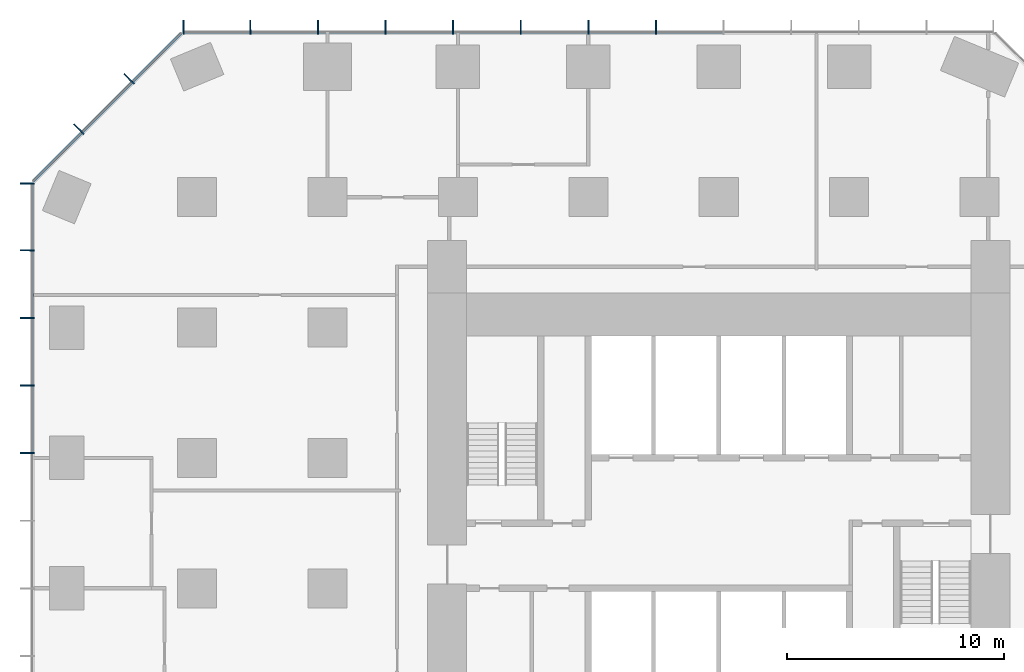
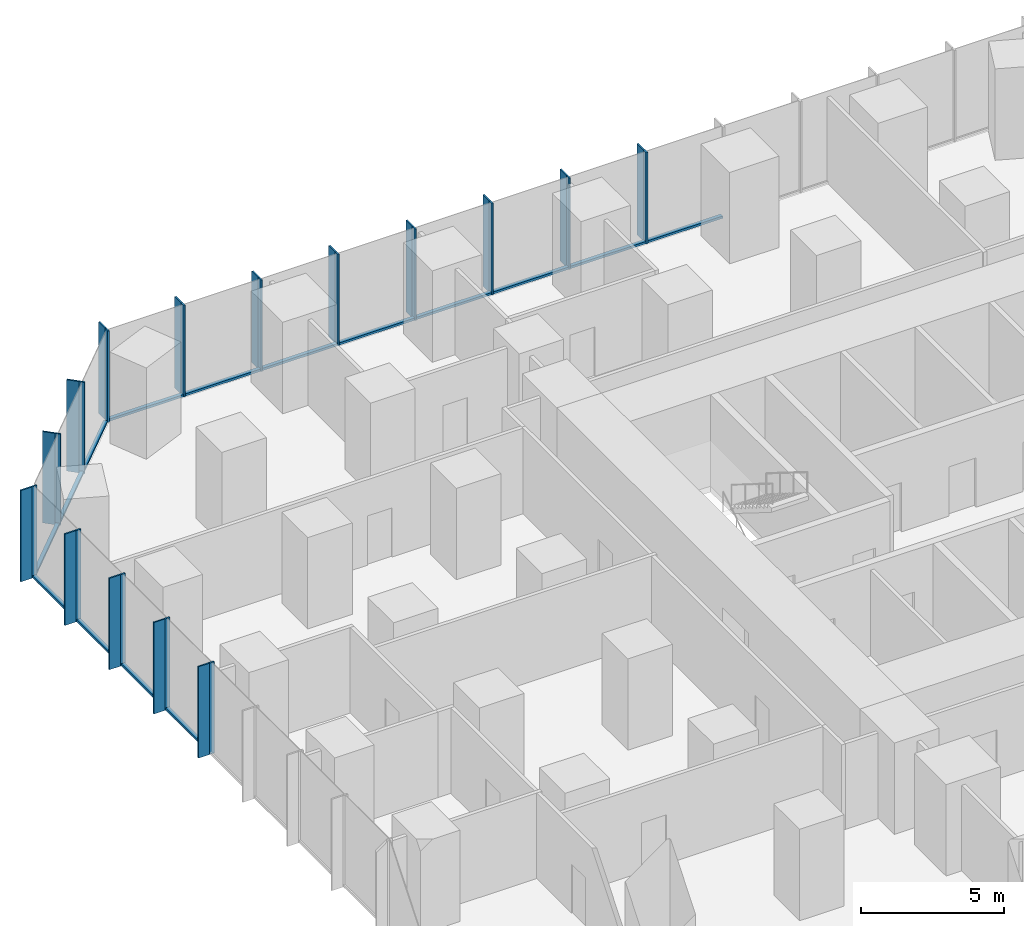
# One storey, part 5 of 12: 45 members, 3 elements without a shape of their own.
"""IFC4 building model written with IfcOpenShell, lengths in metres."""

from ifc_helpers import new_model, si_unit, direction, frame, origin, origin_2d, place, context, subcontext, project, spatial, rectangle, extrude, material, layer, layer_set, material_profile, profile_set, type_object, element, aggregate, save


model = new_model("IFC4")

# Units and contexts
model_context = context("Model", 3, precision=1e-05, world=origin(), true_north=direction((0.0, 1.0)))
body_context = subcontext(model_context, "Body", "Model", "MODEL_VIEW")
ifc_project = project(units=[si_unit("LENGTHUNIT", "METRE"), si_unit("AREAUNIT", "SQUARE_METRE"), si_unit("VOLUMEUNIT", "CUBIC_METRE"), si_unit("PLANEANGLEUNIT", "RADIAN"), si_unit("MASSUNIT", "GRAM", prefix="KILO")], contexts=[model_context])

# Site, building, storey
site_placement = place(None, origin())
site = spatial("IfcSite", under=ifc_project, at=site_placement, CompositionType="ELEMENT")
building_placement = place(site_placement, origin())
building = spatial("IfcBuilding", under=site, at=building_placement, Name="Highveld Stack Headquarters", CompositionType="ELEMENT")
storey_placement = place(building_placement, frame((0.0, 0.0, 22.10009765625)))
storey = spatial("IfcBuildingStorey", under=building, at=storey_placement, Name="L04", CompositionType="ELEMENT", Elevation=22.10009765625)

# Curtain wall, members
ifc_material_1 = material(Name="Aluminium bronze anodised", Category="aluminium")
ifc_layer_1 = layer(ifc_material_1, 0.199951171875)
ifc_layer_set_1 = layer_set([ifc_layer_1], Name="Aluminium bronze anodised")
curtain_wall_type_1 = type_object("IfcCurtainWallType", Name="CW1 TOWER UNITISED CURTAIN WALL", PredefinedType="NOTDEFINED", material=ifc_layer_set_1)
curtain_wall_1_placement = place(storey_placement, origin())
curtain_wall_1 = element("IfcCurtainWall", 1, at=curtain_wall_1_placement, inside=storey, type_object=curtain_wall_type_1, Name="Curtain wall CW1 L04 N", PredefinedType="NOTDEFINED")
ifc_material_2 = material(Name="Aluminium bronze anodised", Category="aluminium")
ifc_material_profile_1 = material_profile(ifc_material_2, rectangle(XDim=0.449951171875, YDim=0.06005859375, at=origin_2d()), Name="FIN 450x60")
ifc_profile_set_1 = profile_set([ifc_material_profile_1], Name="Aluminium bronze anodised")
member_type_1 = type_object("IfcMemberType", Name="CW1 BRONZE FIN 450x60", PredefinedType="USERDEFINED", material=ifc_profile_set_1)
member_1_placement = place(storey_placement, frame((3.110595703125, 25.925048828125, 0.0), z_axis=(0.0, 0.0, 1.0), x_axis=(0.0, -1.0, 0.0)))
member_1 = element("IfcMember", 2, at=member_1_placement, type_object=member_type_1, Name="CW1 fin L04 6", ObjectType="FIN", PredefinedType="USERDEFINED", context=body_context, shape_type="SweptSolid", body=[
    extrude(rectangle(XDim=0.449951171875, YDim=0.06005859375, at=origin_2d()), origin(), (0.0, 0.0, 1.0), 3.89990234375),
])
member_2_placement = place(storey_placement, frame((0.0, 25.925048828125, 0.0), z_axis=(0.0, 0.0, 1.0), x_axis=(0.0, -1.0, 0.0)))
member_2 = element("IfcMember", 3, at=member_2_placement, type_object=member_type_1, Name="CW1 fin L04 7", ObjectType="FIN", PredefinedType="USERDEFINED", context=body_context, shape_type="SweptSolid", body=[
    extrude(rectangle(XDim=0.449951171875, YDim=0.06005859375, at=origin_2d()), origin(), (0.0, 0.0, 1.0), 3.89990234375),
])
member_3_placement = place(storey_placement, frame((-3.110595703125, 25.925048828125, 0.0), z_axis=(0.0, 0.0, 1.0), x_axis=(0.0, -1.0, 0.0)))
member_3 = element("IfcMember", 4, at=member_3_placement, type_object=member_type_1, Name="CW1 fin L04 8", ObjectType="FIN", PredefinedType="USERDEFINED", context=body_context, shape_type="SweptSolid", body=[
    extrude(rectangle(XDim=0.449951171875, YDim=0.06005859375, at=origin_2d()), origin(), (0.0, 0.0, 1.0), 3.89990234375),
])
member_4_placement = place(storey_placement, frame((-6.220947265625, 25.925048828125, 0.0), z_axis=(0.0, 0.0, 1.0), x_axis=(0.0, -1.0, 0.0)))
member_4 = element("IfcMember", 5, at=member_4_placement, type_object=member_type_1, Name="CW1 fin L04 9", ObjectType="FIN", PredefinedType="USERDEFINED", context=body_context, shape_type="SweptSolid", body=[
    extrude(rectangle(XDim=0.449951171875, YDim=0.06005859375, at=origin_2d()), origin(), (0.0, 0.0, 1.0), 3.89990234375),
])
member_5_placement = place(storey_placement, frame((-9.331298828125, 25.925048828125, 0.0), z_axis=(0.0, 0.0, 1.0), x_axis=(0.0, -1.0, 0.0)))
member_5 = element("IfcMember", 6, at=member_5_placement, type_object=member_type_1, Name="CW1 fin L04 10", ObjectType="FIN", PredefinedType="USERDEFINED", context=body_context, shape_type="SweptSolid", body=[
    extrude(rectangle(XDim=0.449951171875, YDim=0.06005859375, at=origin_2d()), origin(), (0.0, 0.0, 1.0), 3.89990234375),
])
member_6_placement = place(storey_placement, frame((-12.44189453125, 25.925048828125, 0.0), z_axis=(0.0, 0.0, 1.0), x_axis=(0.0, -1.0, 0.0)))
member_6 = element("IfcMember", 7, at=member_6_placement, type_object=member_type_1, Name="CW1 fin L04 11", ObjectType="FIN", PredefinedType="USERDEFINED", context=body_context, shape_type="SweptSolid", body=[
    extrude(rectangle(XDim=0.449951171875, YDim=0.06005859375, at=origin_2d()), origin(), (0.0, 0.0, 1.0), 3.89990234375),
])
member_7_placement = place(storey_placement, frame((-15.55224609375, 25.925048828125, 0.0), z_axis=(0.0, 0.0, 1.0), x_axis=(0.0, -1.0, 0.0)))
member_7 = element("IfcMember", 8, at=member_7_placement, type_object=member_type_1, Name="CW1 fin L04 12", ObjectType="FIN", PredefinedType="USERDEFINED", context=body_context, shape_type="SweptSolid", body=[
    extrude(rectangle(XDim=0.449951171875, YDim=0.06005859375, at=origin_2d()), origin(), (0.0, 0.0, 1.0), 3.89990234375),
])
member_8_placement = place(storey_placement, frame((-18.630126953125, 25.925048828125, 0.0), z_axis=(0.0, 0.0, 1.0), x_axis=(0.0, -1.0, 0.0)))
member_8 = element("IfcMember", 9, at=member_8_placement, type_object=member_type_1, Name="CW1 fin L04 13", ObjectType="FIN", PredefinedType="USERDEFINED", context=body_context, shape_type="SweptSolid", body=[
    extrude(rectangle(XDim=0.449951171875, YDim=0.06005859375, at=origin_2d()), origin(), (0.0, 0.0, 1.0), 3.89990234375),
])

curtain_wall_2_placement = place(storey_placement, origin())
curtain_wall_2 = element("IfcCurtainWall", 10, at=curtain_wall_2_placement, inside=storey, type_object=curtain_wall_type_1, Name="Curtain wall CW1 L04 W", PredefinedType="NOTDEFINED")
member_9_placement = place(storey_placement, frame((-25.925048828125, 18.630126953125, 0.0), z_axis=(0.0, 0.0, 1.0), x_axis=(1.0, 0.0, 0.0)))
member_9 = element("IfcMember", 11, at=member_9_placement, type_object=member_type_1, Name="CW1 fin L04 1", ObjectType="FIN", PredefinedType="USERDEFINED", context=body_context, shape_type="SweptSolid", body=[
    extrude(rectangle(XDim=0.449951171875, YDim=0.06005859375, at=origin_2d()), origin(), (0.0, 0.0, 1.0), 3.89990234375),
])
member_10_placement = place(storey_placement, frame((-25.925048828125, 15.55224609375, 0.0), z_axis=(0.0, 0.0, 1.0), x_axis=(1.0, 0.0, 0.0)))
member_10 = element("IfcMember", 12, at=member_10_placement, type_object=member_type_1, Name="CW1 fin L04 2", ObjectType="FIN", PredefinedType="USERDEFINED", context=body_context, shape_type="SweptSolid", body=[
    extrude(rectangle(XDim=0.449951171875, YDim=0.06005859375, at=origin_2d()), origin(), (0.0, 0.0, 1.0), 3.89990234375),
])
member_11_placement = place(storey_placement, frame((-25.925048828125, 12.44189453125, 0.0), z_axis=(0.0, 0.0, 1.0), x_axis=(1.0, 0.0, 0.0)))
member_11 = element("IfcMember", 13, at=member_11_placement, type_object=member_type_1, Name="CW1 fin L04 3", ObjectType="FIN", PredefinedType="USERDEFINED", context=body_context, shape_type="SweptSolid", body=[
    extrude(rectangle(XDim=0.449951171875, YDim=0.06005859375, at=origin_2d()), origin(), (0.0, 0.0, 1.0), 3.89990234375),
])
member_12_placement = place(storey_placement, frame((-25.925048828125, 9.331298828125, 0.0), z_axis=(0.0, 0.0, 1.0), x_axis=(1.0, 0.0, 0.0)))
member_12 = element("IfcMember", 14, at=member_12_placement, type_object=member_type_1, Name="CW1 fin L04 4", ObjectType="FIN", PredefinedType="USERDEFINED", context=body_context, shape_type="SweptSolid", body=[
    extrude(rectangle(XDim=0.449951171875, YDim=0.06005859375, at=origin_2d()), origin(), (0.0, 0.0, 1.0), 3.89990234375),
])
member_13_placement = place(storey_placement, frame((-25.925048828125, 6.220947265625, 0.0), z_axis=(0.0, 0.0, 1.0), x_axis=(1.0, 0.0, 0.0)))
member_13 = element("IfcMember", 15, at=member_13_placement, type_object=member_type_1, Name="CW1 fin L04 5", ObjectType="FIN", PredefinedType="USERDEFINED", context=body_context, shape_type="SweptSolid", body=[
    extrude(rectangle(XDim=0.449951171875, YDim=0.06005859375, at=origin_2d()), origin(), (0.0, 0.0, 1.0), 3.89990234375),
])

# Member
ifc_material_3 = material(Name="Aluminium bronze anodised", Category="aluminium")
ifc_material_profile_2 = material_profile(ifc_material_3, rectangle(XDim=0.199951171875, YDim=0.06494140625, at=origin_2d()), Name="CW1 MULLION 65x200")
ifc_profile_set_2 = profile_set([ifc_material_profile_2], Name="Aluminium bronze anodised")
member_type_2 = type_object("IfcMemberType", Name="CW1 MULLION 65x200", PredefinedType="MULLION", material=ifc_profile_set_2)
member_14_placement = place(storey_placement, frame((3.110595703125, 25.60009765625, 0.0), z_axis=(0.0, 0.0, 1.0), x_axis=(0.0, -1.0, 0.0)))
member_14 = element("IfcMember", 16, at=member_14_placement, type_object=member_type_2, Name="CW1 mullion L04 6", PredefinedType="MULLION", context=body_context, shape_type="SweptSolid", body=[
    extrude(rectangle(XDim=0.199951171875, YDim=0.06494140625, at=origin_2d()), origin(), (0.0, 0.0, 1.0), 3.89990234375),
])

member_15_placement = place(storey_placement, frame((0.0, 25.60009765625, 0.0), z_axis=(0.0, 0.0, 1.0), x_axis=(0.0, -1.0, 0.0)))
member_15 = element("IfcMember", 17, at=member_15_placement, type_object=member_type_2, Name="CW1 mullion L04 7", PredefinedType="MULLION", context=body_context, shape_type="SweptSolid", body=[
    extrude(rectangle(XDim=0.199951171875, YDim=0.06494140625, at=origin_2d()), origin(), (0.0, 0.0, 1.0), 3.89990234375),
])

member_16_placement = place(storey_placement, frame((-3.110595703125, 25.60009765625, 0.0), z_axis=(0.0, 0.0, 1.0), x_axis=(0.0, -1.0, 0.0)))
member_16 = element("IfcMember", 18, at=member_16_placement, type_object=member_type_2, Name="CW1 mullion L04 8", PredefinedType="MULLION", context=body_context, shape_type="SweptSolid", body=[
    extrude(rectangle(XDim=0.199951171875, YDim=0.06494140625, at=origin_2d()), origin(), (0.0, 0.0, 1.0), 3.89990234375),
])

member_17_placement = place(storey_placement, frame((-6.220947265625, 25.60009765625, 0.0), z_axis=(0.0, 0.0, 1.0), x_axis=(0.0, -1.0, 0.0)))
member_17 = element("IfcMember", 19, at=member_17_placement, type_object=member_type_2, Name="CW1 mullion L04 9", PredefinedType="MULLION", context=body_context, shape_type="SweptSolid", body=[
    extrude(rectangle(XDim=0.199951171875, YDim=0.06494140625, at=origin_2d()), origin(), (0.0, 0.0, 1.0), 3.89990234375),
])

member_18_placement = place(storey_placement, frame((-9.331298828125, 25.60009765625, 0.0), z_axis=(0.0, 0.0, 1.0), x_axis=(0.0, -1.0, 0.0)))
member_18 = element("IfcMember", 20, at=member_18_placement, type_object=member_type_2, Name="CW1 mullion L04 10", PredefinedType="MULLION", context=body_context, shape_type="SweptSolid", body=[
    extrude(rectangle(XDim=0.199951171875, YDim=0.06494140625, at=origin_2d()), origin(), (0.0, 0.0, 1.0), 3.89990234375),
])

member_19_placement = place(storey_placement, frame((-12.44189453125, 25.60009765625, 0.0), z_axis=(0.0, 0.0, 1.0), x_axis=(0.0, -1.0, 0.0)))
member_19 = element("IfcMember", 21, at=member_19_placement, type_object=member_type_2, Name="CW1 mullion L04 11", PredefinedType="MULLION", context=body_context, shape_type="SweptSolid", body=[
    extrude(rectangle(XDim=0.199951171875, YDim=0.06494140625, at=origin_2d()), origin(), (0.0, 0.0, 1.0), 3.89990234375),
])

member_20_placement = place(storey_placement, frame((-15.55224609375, 25.60009765625, 0.0), z_axis=(0.0, 0.0, 1.0), x_axis=(0.0, -1.0, 0.0)))
member_20 = element("IfcMember", 22, at=member_20_placement, type_object=member_type_2, Name="CW1 mullion L04 12", PredefinedType="MULLION", context=body_context, shape_type="SweptSolid", body=[
    extrude(rectangle(XDim=0.199951171875, YDim=0.06494140625, at=origin_2d()), origin(), (0.0, 0.0, 1.0), 3.89990234375),
])

member_21_placement = place(storey_placement, frame((-18.630126953125, 25.60009765625, 0.0), z_axis=(0.0, 0.0, 1.0), x_axis=(0.0, -1.0, 0.0)))
member_21 = element("IfcMember", 23, at=member_21_placement, type_object=member_type_2, Name="CW1 mullion L04 13", PredefinedType="MULLION", context=body_context, shape_type="SweptSolid", body=[
    extrude(rectangle(XDim=0.199951171875, YDim=0.06494140625, at=origin_2d()), origin(), (0.0, 0.0, 1.0), 3.89990234375),
])

member_22_placement = place(storey_placement, frame((-25.60009765625, 18.630126953125, 0.0), z_axis=(0.0, 0.0, 1.0), x_axis=(1.0, 0.0, 0.0)))
member_22 = element("IfcMember", 24, at=member_22_placement, type_object=member_type_2, Name="CW1 mullion L04 1", PredefinedType="MULLION", context=body_context, shape_type="SweptSolid", body=[
    extrude(rectangle(XDim=0.199951171875, YDim=0.06494140625, at=origin_2d()), origin(), (0.0, 0.0, 1.0), 3.89990234375),
])

member_23_placement = place(storey_placement, frame((-25.60009765625, 15.55224609375, 0.0), z_axis=(0.0, 0.0, 1.0), x_axis=(1.0, 0.0, 0.0)))
member_23 = element("IfcMember", 25, at=member_23_placement, type_object=member_type_2, Name="CW1 mullion L04 2", PredefinedType="MULLION", context=body_context, shape_type="SweptSolid", body=[
    extrude(rectangle(XDim=0.199951171875, YDim=0.06494140625, at=origin_2d()), origin(), (0.0, 0.0, 1.0), 3.89990234375),
])

member_24_placement = place(storey_placement, frame((-25.60009765625, 12.44189453125, 0.0), z_axis=(0.0, 0.0, 1.0), x_axis=(1.0, 0.0, 0.0)))
member_24 = element("IfcMember", 26, at=member_24_placement, type_object=member_type_2, Name="CW1 mullion L04 3", PredefinedType="MULLION", context=body_context, shape_type="SweptSolid", body=[
    extrude(rectangle(XDim=0.199951171875, YDim=0.06494140625, at=origin_2d()), origin(), (0.0, 0.0, 1.0), 3.89990234375),
])

member_25_placement = place(storey_placement, frame((-25.60009765625, 9.331298828125, 0.0), z_axis=(0.0, 0.0, 1.0), x_axis=(1.0, 0.0, 0.0)))
member_25 = element("IfcMember", 27, at=member_25_placement, type_object=member_type_2, Name="CW1 mullion L04 4", PredefinedType="MULLION", context=body_context, shape_type="SweptSolid", body=[
    extrude(rectangle(XDim=0.199951171875, YDim=0.06494140625, at=origin_2d()), origin(), (0.0, 0.0, 1.0), 3.89990234375),
])

member_26_placement = place(storey_placement, frame((-25.60009765625, 6.220947265625, 0.0), z_axis=(0.0, 0.0, 1.0), x_axis=(1.0, 0.0, 0.0)))
member_26 = element("IfcMember", 28, at=member_26_placement, type_object=member_type_2, Name="CW1 mullion L04 5", PredefinedType="MULLION", context=body_context, shape_type="SweptSolid", body=[
    extrude(rectangle(XDim=0.199951171875, YDim=0.06494140625, at=origin_2d()), origin(), (0.0, 0.0, 1.0), 3.89990234375),
])

ifc_material_4 = material(Name="Aluminium bronze anodised", Category="aluminium")
ifc_material_profile_3 = material_profile(ifc_material_4, rectangle(XDim=0.14990234375, YDim=0.10009765625, at=origin_2d()), Name="CW1 TRANSOM 150x100")
ifc_profile_set_3 = profile_set([ifc_material_profile_3], Name="Aluminium bronze anodised")
member_type_3 = type_object("IfcMemberType", Name="CW1 STACK TRANSOM 150x100", PredefinedType="USERDEFINED", material=ifc_profile_set_3)
member_27_placement = place(storey_placement, frame((6.1884765625, 25.60009765625, 0.0498046875), z_axis=(-1.0, 0.0, 0.0), x_axis=(0.0, -1.0, 0.0)))
member_27 = element("IfcMember", 29, at=member_27_placement, type_object=member_type_3, Name="CW1 transom L04 5.1", ObjectType="TRANSOM", PredefinedType="USERDEFINED", context=body_context, shape_type="SweptSolid", body=[
    extrude(rectangle(XDim=0.14990234375, YDim=0.10009765625, at=origin_2d()), origin(), (0.0, 0.0, 1.0), 3.04541015625),
])

member_28_placement = place(storey_placement, frame((3.077880859375, 25.60009765625, 0.0498046875), z_axis=(-1.0, 0.0, 0.0), x_axis=(0.0, -1.0, 0.0)))
member_28 = element("IfcMember", 30, at=member_28_placement, type_object=member_type_3, Name="CW1 transom L04 6.1", ObjectType="TRANSOM", PredefinedType="USERDEFINED", context=body_context, shape_type="SweptSolid", body=[
    extrude(rectangle(XDim=0.14990234375, YDim=0.10009765625, at=origin_2d()), origin(), (0.0, 0.0, 1.0), 3.04541015625),
])

member_29_placement = place(storey_placement, frame((-0.032470703125, 25.60009765625, 0.0498046875), z_axis=(-1.0, 0.0, 0.0), x_axis=(0.0, -1.0, 0.0)))
member_29 = element("IfcMember", 31, at=member_29_placement, type_object=member_type_3, Name="CW1 transom L04 7.1", ObjectType="TRANSOM", PredefinedType="USERDEFINED", context=body_context, shape_type="SweptSolid", body=[
    extrude(rectangle(XDim=0.14990234375, YDim=0.10009765625, at=origin_2d()), origin(), (0.0, 0.0, 1.0), 3.04541015625),
])

member_30_placement = place(storey_placement, frame((-3.142822265625, 25.60009765625, 0.0498046875), z_axis=(-1.0, 0.0, 0.0), x_axis=(0.0, -1.0, 0.0)))
member_30 = element("IfcMember", 32, at=member_30_placement, type_object=member_type_3, Name="CW1 transom L04 8.1", ObjectType="TRANSOM", PredefinedType="USERDEFINED", context=body_context, shape_type="SweptSolid", body=[
    extrude(rectangle(XDim=0.14990234375, YDim=0.10009765625, at=origin_2d()), origin(), (0.0, 0.0, 1.0), 3.045654296875),
])

member_31_placement = place(storey_placement, frame((-6.25341796875, 25.60009765625, 0.0498046875), z_axis=(-1.0, 0.0, 0.0), x_axis=(0.0, -1.0, 0.0)))
member_31 = element("IfcMember", 33, at=member_31_placement, type_object=member_type_3, Name="CW1 transom L04 9.1", ObjectType="TRANSOM", PredefinedType="USERDEFINED", context=body_context, shape_type="SweptSolid", body=[
    extrude(rectangle(XDim=0.14990234375, YDim=0.10009765625, at=origin_2d()), origin(), (0.0, 0.0, 1.0), 3.04541015625),
])

member_32_placement = place(storey_placement, frame((-9.36376953125, 25.60009765625, 0.0498046875), z_axis=(-1.0, 0.0, 0.0), x_axis=(0.0, -1.0, 0.0)))
member_32 = element("IfcMember", 34, at=member_32_placement, type_object=member_type_3, Name="CW1 transom L04 10.1", ObjectType="TRANSOM", PredefinedType="USERDEFINED", context=body_context, shape_type="SweptSolid", body=[
    extrude(rectangle(XDim=0.14990234375, YDim=0.10009765625, at=origin_2d()), origin(), (0.0, 0.0, 1.0), 3.04541015625),
])

member_33_placement = place(storey_placement, frame((-12.474365234375, 25.60009765625, 0.0498046875), z_axis=(-1.0, 0.0, 0.0), x_axis=(0.0, -1.0, 0.0)))
member_33 = element("IfcMember", 35, at=member_33_placement, type_object=member_type_3, Name="CW1 transom L04 11.1", ObjectType="TRANSOM", PredefinedType="USERDEFINED", context=body_context, shape_type="SweptSolid", body=[
    extrude(rectangle(XDim=0.14990234375, YDim=0.10009765625, at=origin_2d()), origin(), (0.0, 0.0, 1.0), 3.04541015625),
])

member_34_placement = place(storey_placement, frame((-15.584716796875, 25.60009765625, 0.0498046875), z_axis=(-1.0, 0.0, 0.0), x_axis=(0.0, -1.0, 0.0)))
member_34 = element("IfcMember", 36, at=member_34_placement, type_object=member_type_3, Name="CW1 transom L04 12.1", ObjectType="TRANSOM", PredefinedType="USERDEFINED", context=body_context, shape_type="SweptSolid", body=[
    extrude(rectangle(XDim=0.14990234375, YDim=0.10009765625, at=origin_2d()), origin(), (0.0, 0.0, 1.0), 3.012939453125),
])

aggregate(curtain_wall_1, [member_14, member_1, member_15, member_2, member_16, member_3, member_17, member_4, member_18, member_5, member_19, member_6, member_20, member_7, member_21, member_8, member_27, member_28, member_29, member_30, member_31, member_32, member_33, member_34])

member_35_placement = place(storey_placement, frame((-25.60009765625, 18.59765625, 0.0498046875), z_axis=(0.0, -1.0, 0.0), x_axis=(1.0, 0.0, 0.0)))
member_35 = element("IfcMember", 37, at=member_35_placement, type_object=member_type_3, Name="CW1 transom L04 1.1", ObjectType="TRANSOM", PredefinedType="USERDEFINED", context=body_context, shape_type="SweptSolid", body=[
    extrude(rectangle(XDim=0.14990234375, YDim=0.10009765625, at=origin_2d()), origin(), (0.0, 0.0, 1.0), 3.012939453125),
])

member_36_placement = place(storey_placement, frame((-25.60009765625, 15.519775390625, 0.0498046875), z_axis=(0.0, -1.0, 0.0), x_axis=(1.0, 0.0, 0.0)))
member_36 = element("IfcMember", 38, at=member_36_placement, type_object=member_type_3, Name="CW1 transom L04 2.1", ObjectType="TRANSOM", PredefinedType="USERDEFINED", context=body_context, shape_type="SweptSolid", body=[
    extrude(rectangle(XDim=0.14990234375, YDim=0.10009765625, at=origin_2d()), origin(), (0.0, 0.0, 1.0), 3.04541015625),
])

member_37_placement = place(storey_placement, frame((-25.60009765625, 12.4091796875, 0.0498046875), z_axis=(0.0, -1.0, 0.0), x_axis=(1.0, 0.0, 0.0)))
member_37 = element("IfcMember", 39, at=member_37_placement, type_object=member_type_3, Name="CW1 transom L04 3.1", ObjectType="TRANSOM", PredefinedType="USERDEFINED", context=body_context, shape_type="SweptSolid", body=[
    extrude(rectangle(XDim=0.14990234375, YDim=0.10009765625, at=origin_2d()), origin(), (0.0, 0.0, 1.0), 3.045166015625),
])

member_38_placement = place(storey_placement, frame((-25.60009765625, 9.298828125, 0.0498046875), z_axis=(0.0, -1.0, 0.0), x_axis=(1.0, 0.0, 0.0)))
member_38 = element("IfcMember", 40, at=member_38_placement, type_object=member_type_3, Name="CW1 transom L04 4.1", ObjectType="TRANSOM", PredefinedType="USERDEFINED", context=body_context, shape_type="SweptSolid", body=[
    extrude(rectangle(XDim=0.14990234375, YDim=0.10009765625, at=origin_2d()), origin(), (0.0, 0.0, 1.0), 3.04541015625),
])

aggregate(curtain_wall_2, [member_22, member_9, member_23, member_10, member_24, member_11, member_25, member_12, member_26, member_13, member_35, member_36, member_37, member_38])

# Curtain wall, members
ifc_material_5 = material(Name="Aluminium bronze anodised", Category="aluminium")
ifc_layer_2 = layer(ifc_material_5, 0.199951171875)
ifc_layer_set_2 = layer_set([ifc_layer_2], Name="Aluminium bronze anodised")
curtain_wall_type_2 = type_object("IfcCurtainWallType", Name="CW2 TOWER CHAMFER UNITISED CURTAIN WALL", PredefinedType="NOTDEFINED", material=ifc_layer_set_2)
curtain_wall_3_placement = place(storey_placement, origin())
curtain_wall_3 = element("IfcCurtainWall", 41, at=curtain_wall_3_placement, inside=storey, type_object=curtain_wall_type_2, Name="Curtain wall CW2 L04 NW", PredefinedType="NOTDEFINED")
ifc_material_6 = material(Name="Aluminium bronze anodised", Category="aluminium")
ifc_material_profile_4 = material_profile(ifc_material_6, rectangle(XDim=0.449951171875, YDim=0.06005859375, at=origin_2d()), Name="FIN 450x60")
ifc_profile_set_4 = profile_set([ifc_material_profile_4], Name="Aluminium bronze anodised")
member_type_4 = type_object("IfcMemberType", Name="CW2 BRONZE FIN 450x60", PredefinedType="USERDEFINED", material=ifc_profile_set_4)
member_39_placement = place(storey_placement, frame((-21.204833984375, 23.517333984375, 0.0), z_axis=(0.0, 0.0, 1.0), x_axis=(0.707106781187, -0.707106781187, 0.0)))
member_39 = element("IfcMember", 42, at=member_39_placement, type_object=member_type_4, Name="CW2 fin L04 1", ObjectType="FIN", PredefinedType="USERDEFINED", context=body_context, shape_type="SweptSolid", body=[
    extrude(rectangle(XDim=0.449951171875, YDim=0.06005859375, at=origin_2d()), origin(), (0.0, 0.0, 1.0), 3.89990234375),
])
member_40_placement = place(storey_placement, frame((-23.517333984375, 21.204833984375, 0.0), z_axis=(0.0, 0.0, 1.0), x_axis=(0.707106781187, -0.707106781187, 0.0)))
member_40 = element("IfcMember", 43, at=member_40_placement, type_object=member_type_4, Name="CW2 fin L04 2", ObjectType="FIN", PredefinedType="USERDEFINED", context=body_context, shape_type="SweptSolid", body=[
    extrude(rectangle(XDim=0.449951171875, YDim=0.06005859375, at=origin_2d()), origin(), (0.0, 0.0, 1.0), 3.89990234375),
])
ifc_material_7 = material(Name="Aluminium bronze anodised", Category="aluminium")
ifc_material_profile_5 = material_profile(ifc_material_7, rectangle(XDim=0.199951171875, YDim=0.06494140625, at=origin_2d()), Name="CW2 MULLION 65x200")
ifc_profile_set_5 = profile_set([ifc_material_profile_5], Name="Aluminium bronze anodised")
member_type_5 = type_object("IfcMemberType", Name="CW2 MULLION 65x200", PredefinedType="MULLION", material=ifc_profile_set_5)
member_41_placement = place(storey_placement, frame((-20.97509765625, 23.28759765625, 0.0), z_axis=(0.0, 0.0, 1.0), x_axis=(0.707106781187, -0.707106781187, 0.0)))
member_41 = element("IfcMember", 44, at=member_41_placement, type_object=member_type_5, Name="CW2 mullion L04 1", PredefinedType="MULLION", context=body_context, shape_type="SweptSolid", body=[
    extrude(rectangle(XDim=0.199951171875, YDim=0.06494140625, at=origin_2d()), origin(), (0.0, 0.0, 1.0), 3.89990234375),
])
member_42_placement = place(storey_placement, frame((-23.28759765625, 20.97509765625, 0.0), z_axis=(0.0, 0.0, 1.0), x_axis=(0.707106781187, -0.707106781187, 0.0)))
member_42 = element("IfcMember", 45, at=member_42_placement, type_object=member_type_5, Name="CW2 mullion L04 2", PredefinedType="MULLION", context=body_context, shape_type="SweptSolid", body=[
    extrude(rectangle(XDim=0.199951171875, YDim=0.06494140625, at=origin_2d()), origin(), (0.0, 0.0, 1.0), 3.89990234375),
])
ifc_material_8 = material(Name="Aluminium bronze anodised", Category="aluminium")
ifc_material_profile_6 = material_profile(ifc_material_8, rectangle(XDim=0.14990234375, YDim=0.10009765625, at=origin_2d()), Name="CW2 TRANSOM 150x100")
ifc_profile_set_6 = profile_set([ifc_material_profile_6], Name="Aluminium bronze anodised")
member_type_6 = type_object("IfcMemberType", Name="CW2 STACK TRANSOM 150x100", PredefinedType="USERDEFINED", material=ifc_profile_set_6)
member_43_placement = place(storey_placement, frame((-18.7333984375, 25.529296875, 0.0498046875), z_axis=(-0.707106781187, -0.707106781187, 0.0), x_axis=(0.707106781187, -0.707106781187, 0.0)))
member_43 = element("IfcMember", 46, at=member_43_placement, type_object=member_type_6, Name="CW2 transom L04 1.1", ObjectType="TRANSOM", PredefinedType="USERDEFINED", context=body_context, shape_type="SweptSolid", body=[
    extrude(rectangle(XDim=0.14990234375, YDim=0.10009765625, at=origin_2d()), origin(), (0.0, 0.0, 1.0), 3.1376953125),
])
member_44_placement = place(storey_placement, frame((-20.998046875, 23.2646484375, 0.0498046875), z_axis=(-0.707106781187, -0.707106781187, 0.0), x_axis=(0.707106781187, -0.707106781187, 0.0)))
member_44 = element("IfcMember", 47, at=member_44_placement, type_object=member_type_6, Name="CW2 transom L04 2.1", ObjectType="TRANSOM", PredefinedType="USERDEFINED", context=body_context, shape_type="SweptSolid", body=[
    extrude(rectangle(XDim=0.14990234375, YDim=0.10009765625, at=origin_2d()), origin(), (0.0, 0.0, 1.0), 3.20556640625),
])
member_45_placement = place(storey_placement, frame((-23.310546875, 20.9521484375, 0.0498046875), z_axis=(-0.707106781187, -0.707106781187, 0.0), x_axis=(0.707106781187, -0.707106781187, 0.0)))
member_45 = element("IfcMember", 48, at=member_45_placement, type_object=member_type_6, Name="CW2 transom L04 3.1", ObjectType="TRANSOM", PredefinedType="USERDEFINED", context=body_context, shape_type="SweptSolid", body=[
    extrude(rectangle(XDim=0.14990234375, YDim=0.10009765625, at=origin_2d()), origin(), (0.0, 0.0, 1.0), 3.1376953125),
])
aggregate(curtain_wall_3, [member_41, member_39, member_42, member_40, member_43, member_44, member_45])

save(model, "model.ifc")
